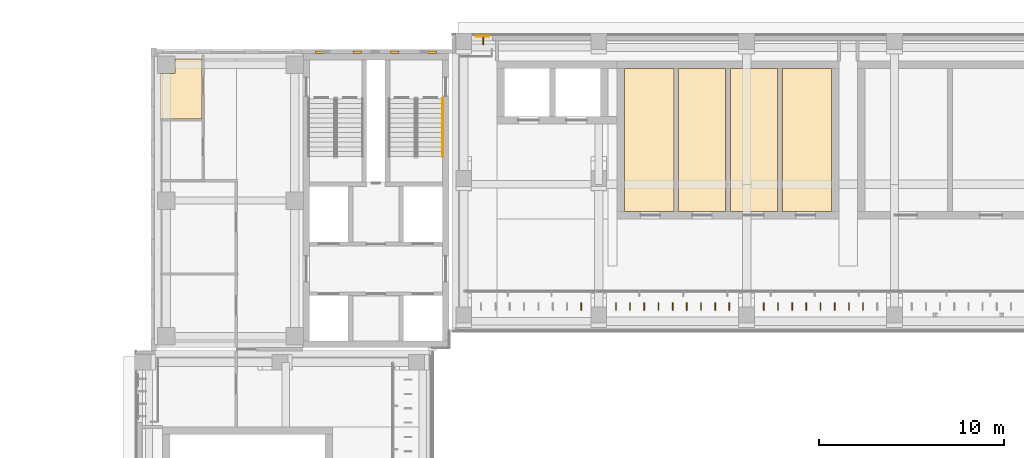
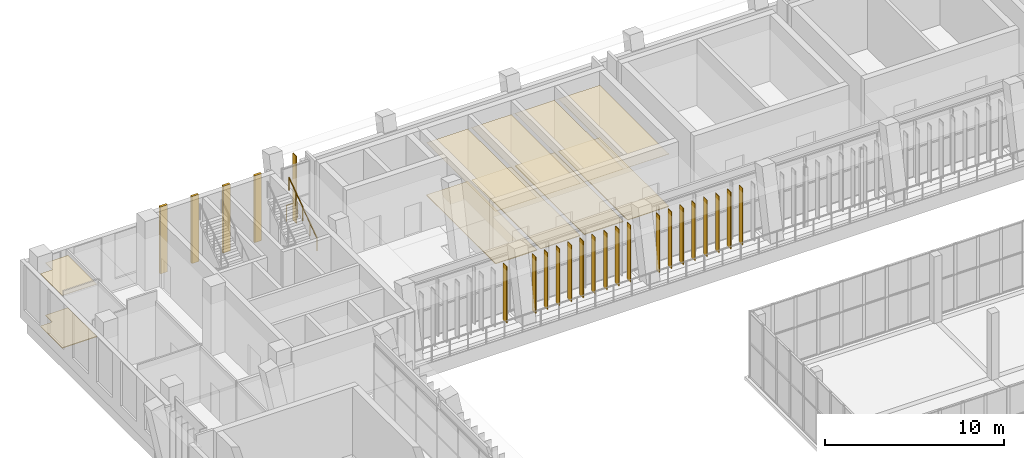
# One storey, part 83 of 92: 19 shading devices, 14 coverings, 2 railings.
"""IFC4 building model written with IfcOpenShell, lengths in metres."""

from ifc_helpers import new_model, si_unit, direction, frame, frame_2d, origin, origin_2d, place, context, subcontext, project, spatial, polyline, rectangle, circle, outline, extrude, material, layer, layer_set, type_object, element, save


model = new_model("IFC4")

# Units and contexts
model_context = context("Model", 3, precision=1e-05, world=origin(), true_north=direction((0.0, 1.0)))
body_context = subcontext(model_context, "Body", "Model", "MODEL_VIEW")
ifc_project = project(units=[si_unit("LENGTHUNIT", "METRE"), si_unit("AREAUNIT", "SQUARE_METRE"), si_unit("VOLUMEUNIT", "CUBIC_METRE"), si_unit("PLANEANGLEUNIT", "RADIAN"), si_unit("MASSUNIT", "GRAM", prefix="KILO")], contexts=[model_context])

# Site, building, storey
site_placement = place(None, origin())
site = spatial("IfcSite", under=ifc_project, at=site_placement, CompositionType="ELEMENT")
building_placement = place(site_placement, origin())
building = spatial("IfcBuilding", under=site, at=building_placement, Name="Lantern Court Media Centre", CompositionType="ELEMENT")
storey_placement = place(building_placement, frame((0.0, 0.0, 4.800048828125)))
storey = spatial("IfcBuildingStorey", under=building, at=storey_placement, Name="L01", CompositionType="ELEMENT", Elevation=4.800048828125)

# Coverings
ifc_material_1 = material(Name="Carpet")
ifc_layer_1 = layer(ifc_material_1, 0.050048828125)
ifc_layer_set_1 = layer_set([ifc_layer_1], Name="Carpet")
covering_type_1 = type_object("IfcCoveringType", Name="Carpet floor finish", PredefinedType="FLOORING", material=ifc_layer_set_1)
covering_1_placement = place(storey_placement, origin())
element("IfcCovering", 1, at=covering_1_placement, inside=storey, type_object=covering_type_1, Name="Editing Suite 01 floor finish", PredefinedType="FLOORING", context=body_context, shape_type="SweptSolid", body=[
    extrude(outline(polyline([(33.405029296875, 103.455078125), (33.405029296875, 111.195068359375), (36.070068359375, 111.195068359375), (36.070068359375, 103.455078125), (33.405029296875, 103.455078125)])), origin(), (0.0, 0.0, 1.0), 0.050048828125),
])
covering_2_placement = place(storey_placement, origin())
element("IfcCovering", 2, at=covering_2_placement, inside=storey, type_object=covering_type_1, Name="Editing Suite 02 floor finish", PredefinedType="FLOORING", context=body_context, shape_type="SweptSolid", body=[
    extrude(outline(polyline([(36.330078125, 111.195068359375), (38.8701171875, 111.195068359375), (38.8701171875, 103.455078125), (36.330078125, 103.455078125), (36.330078125, 111.195068359375)])), origin(), (0.0, 0.0, 1.0), 0.050048828125),
])
covering_3_placement = place(storey_placement, origin())
element("IfcCovering", 3, at=covering_3_placement, inside=storey, type_object=covering_type_1, Name="Editing Suite 03 floor finish", PredefinedType="FLOORING", context=body_context, shape_type="SweptSolid", body=[
    extrude(outline(polyline([(39.1298828125, 111.195068359375), (41.669921875, 111.195068359375), (41.669921875, 103.455078125), (39.1298828125, 103.455078125), (39.1298828125, 111.195068359375)])), origin(), (0.0, 0.0, 1.0), 0.050048828125),
])
covering_4_placement = place(storey_placement, origin())
element("IfcCovering", 4, at=covering_4_placement, inside=storey, type_object=covering_type_1, Name="Editing Suite 04 floor finish", PredefinedType="FLOORING", context=body_context, shape_type="SweptSolid", body=[
    extrude(outline(polyline([(41.929931640625, 111.195068359375), (44.594970703125, 111.195068359375), (44.594970703125, 103.455078125), (41.929931640625, 103.455078125), (41.929931640625, 111.195068359375)])), origin(), (0.0, 0.0, 1.0), 0.050048828125),
])
covering_5_placement = place(storey_placement, origin())
element("IfcCovering", 5, at=covering_5_placement, inside=storey, type_object=covering_type_1, Name="WC Male floor finish", PredefinedType="FLOORING", context=body_context, shape_type="SweptSolid", body=[
    extrude(outline(polyline([(10.532470703125, 111.699951171875), (10.532470703125, 108.465087890625), (8.300048828125, 108.465087890625), (8.300048828125, 110.919921875), (9.07861328125, 110.92138671875), (9.080078125, 111.699951171875), (10.532470703125, 111.699951171875)])), origin(), (0.0, 0.0, 1.0), 0.050048828125),
])

# Railing
ifc_material_2 = material(Name="Powder-coated steel", Category="steel")
railing_type_1 = type_object("IfcRailingType", Name="Floor edge guard 1100", PredefinedType="GUARDRAIL", material=ifc_material_2)
railing_1_placement = place(storey_placement, frame((25.37109375, 112.93994140625, 0.0)))
element("IfcRailing", 6, at=railing_1_placement, inside=storey, type_object=railing_type_1, Name="L01 edge guard 12", PredefinedType="GUARDRAIL", context=body_context, shape_type="SweptSolid", body=[
    extrude(circle(Radius=0.02392578125, at=origin_2d()), frame((0.0, 0.0, 1.076171875), z_axis=(1.0, 0.0, 0.0), x_axis=(0.0, 1.0, 0.0)), (0.0, 0.0, 1.0), 0.698974609375),
    extrude(circle(Radius=0.02099609375, at=origin_2d()), origin(), (0.0, 0.0, 1.0), 1.052001953125),
    extrude(circle(Radius=0.02099609375, at=origin_2d()), frame((0.698974609375, 0.0, 0.0)), (0.0, 0.0, 1.0), 1.052001953125),
])

# Coverings
ifc_material_3 = material(Name="Honed limestone cladding", Category="masonry")
ifc_layer_2 = layer(ifc_material_3, 0.14990234375)
ifc_layer_set_2 = layer_set([ifc_layer_2], Name="Honed limestone cladding")
covering_type_2 = type_object("IfcCoveringType", Name="Limestone pilaster cladding 150", PredefinedType="CLADDING", material=ifc_layer_set_2)
covering_6_placement = place(storey_placement, frame((16.675048828125, 112.074951171875, 0.0), z_axis=(0.0, 0.0, 1.0), x_axis=(1.0, 0.0, 0.0)))
element("IfcCovering", 7, at=covering_6_placement, inside=storey, type_object=covering_type_2, Name="Limestone pilaster rib", PredefinedType="CLADDING", context=body_context, shape_type="SweptSolid", body=[
    extrude(rectangle(XDim=0.449951171875, YDim=0.14990234375, at=frame_2d((0.22509765625, 0.0))), origin(), (0.0, 0.0, 1.0), 4.579833984375),
])
covering_7_placement = place(storey_placement, frame((18.708251953125, 112.074951171875, 0.0), z_axis=(0.0, 0.0, 1.0), x_axis=(1.0, 0.0, 0.0)))
element("IfcCovering", 8, at=covering_7_placement, inside=storey, type_object=covering_type_2, Name="Limestone pilaster rib", PredefinedType="CLADDING", context=body_context, shape_type="SweptSolid", body=[
    extrude(rectangle(XDim=0.4501953125, YDim=0.14990234375, at=frame_2d((0.22509765625, 0.0))), origin(), (0.0, 0.0, 1.0), 4.579833984375),
])
covering_8_placement = place(storey_placement, frame((20.74169921875, 112.074951171875, 0.0), z_axis=(0.0, 0.0, 1.0), x_axis=(1.0, 0.0, 0.0)))
element("IfcCovering", 9, at=covering_8_placement, inside=storey, type_object=covering_type_2, Name="Limestone pilaster rib", PredefinedType="CLADDING", context=body_context, shape_type="SweptSolid", body=[
    extrude(rectangle(XDim=0.449951171875, YDim=0.14990234375, at=frame_2d((0.22509765625, 0.0))), origin(), (0.0, 0.0, 1.0), 4.579833984375),
])
covering_9_placement = place(storey_placement, frame((22.77490234375, 112.074951171875, 0.0), z_axis=(0.0, 0.0, 1.0), x_axis=(1.0, 0.0, 0.0)))
element("IfcCovering", 10, at=covering_9_placement, inside=storey, type_object=covering_type_2, Name="Limestone pilaster rib", PredefinedType="CLADDING", context=body_context, shape_type="SweptSolid", body=[
    extrude(rectangle(XDim=0.4501953125, YDim=0.14990234375, at=frame_2d((0.22509765625, 0.0))), origin(), (0.0, 0.0, 1.0), 4.579833984375),
])

# Railing
railing_type_2 = type_object("IfcRailingType", Name="Stair handrail 900", PredefinedType="HANDRAIL", material=ifc_material_2)
railing_2_placement = place(storey_placement, frame((23.573974609375, 106.429931640625, 2.58447265625)))
element("IfcRailing", 11, at=railing_2_placement, inside=storey, type_object=railing_type_2, Name="L01 ST-NWB stair handrail 2", PredefinedType="HANDRAIL", context=body_context, shape_type="SweptSolid", body=[
    extrude(circle(Radius=0.02392578125, at=origin_2d()), frame((0.0, 0.0, 0.8759765625), z_axis=(0.0, 0.815346844174, 0.578972817752), x_axis=(-1.0, 0.0, 0.0)), (0.0, 0.0, 1.0), 3.82666015625),
    extrude(circle(Radius=0.02099609375, at=origin_2d()), origin(), (0.0, 0.0, 1.0), 0.851806640625),
    extrude(circle(Radius=0.02099609375, at=origin_2d()), frame((0.0, 0.780029296875, 0.553955078125)), (0.0, 0.0, 1.0), 0.851806640625),
    extrude(circle(Radius=0.02099609375, at=origin_2d()), frame((0.0, 1.56005859375, 1.10791015625)), (0.0, 0.0, 1.0), 0.851806640625),
    extrude(circle(Radius=0.02099609375, at=origin_2d()), frame((0.0, 2.340087890625, 1.66162109375)), (0.0, 0.0, 1.0), 0.851806640625),
    extrude(circle(Radius=0.02099609375, at=origin_2d()), frame((0.0, 3.1201171875, 2.215576171875)), (0.0, 0.0, 1.0), 0.851806640625),
])

# Coverings
ifc_material_4 = material(Name="Mineral fibre ceiling tile")
ifc_layer_3 = layer(ifc_material_4, 0.02001953125)
ifc_layer_set_3 = layer_set([ifc_layer_3], Name="Mineral fibre ceiling tile")
covering_type_3 = type_object("IfcCoveringType", Name="Suspended ceiling tile", PredefinedType="CEILING", material=ifc_layer_set_3)
covering_10_placement = place(storey_placement, frame((0.0, 0.0, 3.599853515625)))
element("IfcCovering", 12, at=covering_10_placement, inside=storey, type_object=covering_type_3, Name="Editing Suite 01 ceiling", PredefinedType="CEILING", context=body_context, shape_type="SweptSolid", body=[
    extrude(outline(polyline([(36.199951171875, 103.450439453125), (33.400390625, 103.450439453125), (33.400390625, 111.199462890625), (36.199951171875, 111.199462890625), (36.074462890625, 111.195068359375), (36.074462890625, 103.455078125), (36.199951171875, 103.450439453125)])), origin(), (0.0, 0.0, 1.0), 0.02001953125),
])
covering_11_placement = place(storey_placement, frame((0.0, 0.0, 3.599853515625)))
element("IfcCovering", 13, at=covering_11_placement, inside=storey, type_object=covering_type_3, Name="Editing Suite 02 ceiling", PredefinedType="CEILING", context=body_context, shape_type="SweptSolid", body=[
    extrude(outline(polyline([(39.0, 103.450439453125), (36.199951171875, 103.450439453125), (36.325439453125, 103.455078125), (36.325439453125, 111.195068359375), (36.199951171875, 111.199462890625), (39.0, 111.199462890625), (38.87451171875, 111.195068359375), (38.87451171875, 103.455078125), (39.0, 103.450439453125)])), origin(), (0.0, 0.0, 1.0), 0.02001953125),
])
covering_12_placement = place(storey_placement, frame((0.0, 0.0, 3.599853515625)))
element("IfcCovering", 14, at=covering_12_placement, inside=storey, type_object=covering_type_3, Name="Editing Suite 03 ceiling", PredefinedType="CEILING", context=body_context, shape_type="SweptSolid", body=[
    extrude(outline(polyline([(41.800048828125, 103.450439453125), (39.0, 103.450439453125), (39.12548828125, 103.455078125), (39.12548828125, 111.195068359375), (39.0, 111.199462890625), (41.800048828125, 111.199462890625), (41.674560546875, 111.195068359375), (41.674560546875, 103.455078125), (41.800048828125, 103.450439453125)])), origin(), (0.0, 0.0, 1.0), 0.02001953125),
])
covering_13_placement = place(storey_placement, frame((0.0, 0.0, 3.599853515625)))
element("IfcCovering", 15, at=covering_13_placement, inside=storey, type_object=covering_type_3, Name="Editing Suite 04 ceiling", PredefinedType="CEILING", context=body_context, shape_type="SweptSolid", body=[
    extrude(outline(polyline([(41.800048828125, 111.199462890625), (44.599609375, 111.199462890625), (44.599609375, 103.450439453125), (41.800048828125, 103.450439453125), (41.925537109375, 103.455078125), (41.925537109375, 111.195068359375), (41.800048828125, 111.199462890625)])), origin(), (0.0, 0.0, 1.0), 0.02001953125),
])
covering_14_placement = place(storey_placement, frame((0.0, 0.0, 3.599853515625)))
element("IfcCovering", 16, at=covering_14_placement, inside=storey, type_object=covering_type_3, Name="WC Male ceiling", PredefinedType="CEILING", context=body_context, shape_type="SweptSolid", body=[
    extrude(outline(polyline([(10.537109375, 111.699951171875), (10.537109375, 108.46044921875), (8.300048828125, 108.46044921875), (8.300048828125, 110.924560546875), (9.075439453125, 110.924560546875), (9.075439453125, 111.699951171875), (10.537109375, 111.699951171875)])), origin(), (0.0, 0.0, 1.0), 0.02001953125),
])

# Shading devices
ifc_material_5 = material(Name="Bronze anodised aluminium louvre", Category="aluminium")
ifc_layer_4 = layer(ifc_material_5, 0.0400390625)
ifc_layer_set_4 = layer_set([ifc_layer_4], Name="Bronze anodised aluminium louvre")
shading_device_type_1 = type_object("IfcShadingDeviceType", Name="Vertical louvre 40x400 full storey", PredefinedType="USERDEFINED", material=ifc_layer_set_4)
shading_device_placement = place(storey_placement, frame((25.75, 112.679931640625, 0.0), z_axis=(0.0, 0.0, 1.0), x_axis=(1.0, 0.0, 0.0)))
element("IfcShadingDevice", 17, at=shading_device_placement, inside=storey, type_object=shading_device_type_1, Name="Vertical louvre N outer L01", ObjectType="VERTICAL LOUVRE", PredefinedType="USERDEFINED", context=body_context, shape_type="SweptSolid", body=[
    extrude(rectangle(XDim=0.0400390625, YDim=0.39990234375, at=origin_2d()), origin(), (0.0, 0.0, 1.0), 4.580078125),
])
ifc_layer_5 = layer(ifc_material_5, 0.0400390625)
ifc_layer_set_5 = layer_set([ifc_layer_5], Name="Bronze anodised aluminium louvre")
shading_device_type_2 = type_object("IfcShadingDeviceType", Name="Vertical louvre 40x400 under beam", PredefinedType="USERDEFINED", material=ifc_layer_set_5)
for number, where, z_axis, x_axis, name in (
    (18, (31.0625, 98.320068359375, 0.0), (0.0, 0.0, 1.0), (1.0, 0.0, 0.0), "Vertical louvre N inner L01"),
    (19, (32.933349609375, 98.320068359375, 0.0), (0.0, 0.0, 1.0), (1.0, 0.0, 0.0), "Vertical louvre N inner L01"),
    (20, (33.699951171875, 98.320068359375, 0.0), (0.0, 0.0, 1.0), (1.0, 0.0, 0.0), "Vertical louvre N inner L01"),
    (21, (34.466552734375, 98.320068359375, 0.0), (0.0, 0.0, 1.0), (1.0, 0.0, 0.0), "Vertical louvre N inner L01"),
    (22, (35.2333984375, 98.320068359375, 0.0), (0.0, 0.0, 1.0), (1.0, 0.0, 0.0), "Vertical louvre N inner L01"),
    (23, (36.0, 98.320068359375, 0.0), (0.0, 0.0, 1.0), (1.0, 0.0, 0.0), "Vertical louvre N inner L01"),
    (24, (36.7666015625, 98.320068359375, 0.0), (0.0, 0.0, 1.0), (1.0, 0.0, 0.0), "Vertical louvre N inner L01"),
    (25, (37.533447265625, 98.320068359375, 0.0), (0.0, 0.0, 1.0), (1.0, 0.0, 0.0), "Vertical louvre N inner L01"),
    (26, (38.300048828125, 98.320068359375, 0.0), (0.0, 0.0, 1.0), (1.0, 0.0, 0.0), "Vertical louvre N inner L01"),
    (27, (39.066650390625, 98.320068359375, 0.0), (0.0, 0.0, 1.0), (1.0, 0.0, 0.0), "Vertical louvre N inner L01"),
    (28, (40.933349609375, 98.320068359375, 0.0), (0.0, 0.0, 1.0), (1.0, 0.0, 0.0), "Vertical louvre N inner L01"),
    (29, (41.699951171875, 98.320068359375, 0.0), (0.0, 0.0, 1.0), (1.0, 0.0, 0.0), "Vertical louvre N inner L01"),
    (30, (42.466552734375, 98.320068359375, 0.0), (0.0, 0.0, 1.0), (1.0, 0.0, 0.0), "Vertical louvre N inner L01"),
    (31, (43.2333984375, 98.320068359375, 0.0), (0.0, 0.0, 1.0), (1.0, 0.0, 0.0), "Vertical louvre N inner L01"),
    (32, (44.0, 98.320068359375, 0.0), (0.0, 0.0, 1.0), (1.0, 0.0, 0.0), "Vertical louvre N inner L01"),
    (33, (44.7666015625, 98.320068359375, 0.0), (0.0, 0.0, 1.0), (1.0, 0.0, 0.0), "Vertical louvre N inner L01"),
    (34, (45.533447265625, 98.320068359375, 0.0), (0.0, 0.0, 1.0), (1.0, 0.0, 0.0), "Vertical louvre N inner L01"),
    (35, (46.300048828125, 98.320068359375, 0.0), (0.0, 0.0, 1.0), (1.0, 0.0, 0.0), "Vertical louvre N inner L01"),
):
    element("IfcShadingDevice", number, at=place(storey_placement, frame(where, z_axis=z_axis, x_axis=x_axis)), inside=storey, type_object=shading_device_type_2, Name=name, ObjectType="VERTICAL LOUVRE", PredefinedType="USERDEFINED", context=body_context, shape_type="SweptSolid", body=[
        extrude(rectangle(XDim=0.0400390625, YDim=0.39990234375, at=origin_2d()), origin(), (0.0, 0.0, 1.0), 3.89990234375),
    ])

save(model, "model.ifc")
